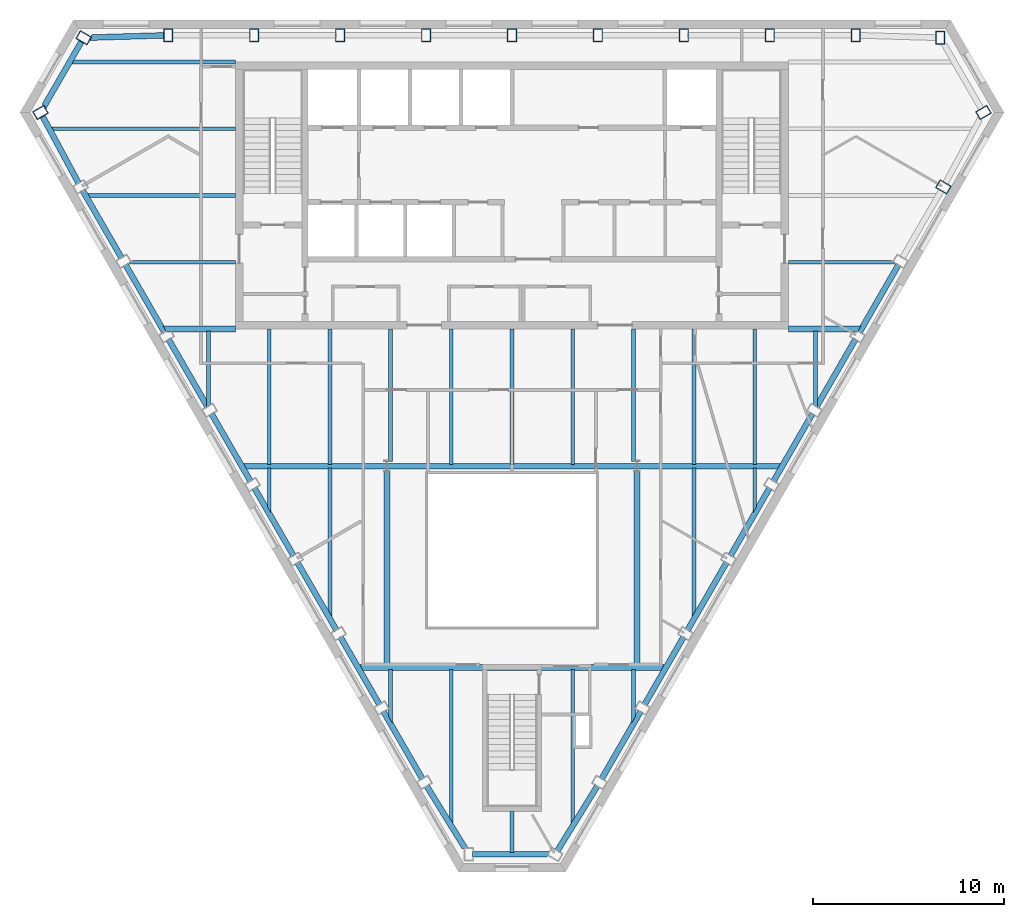
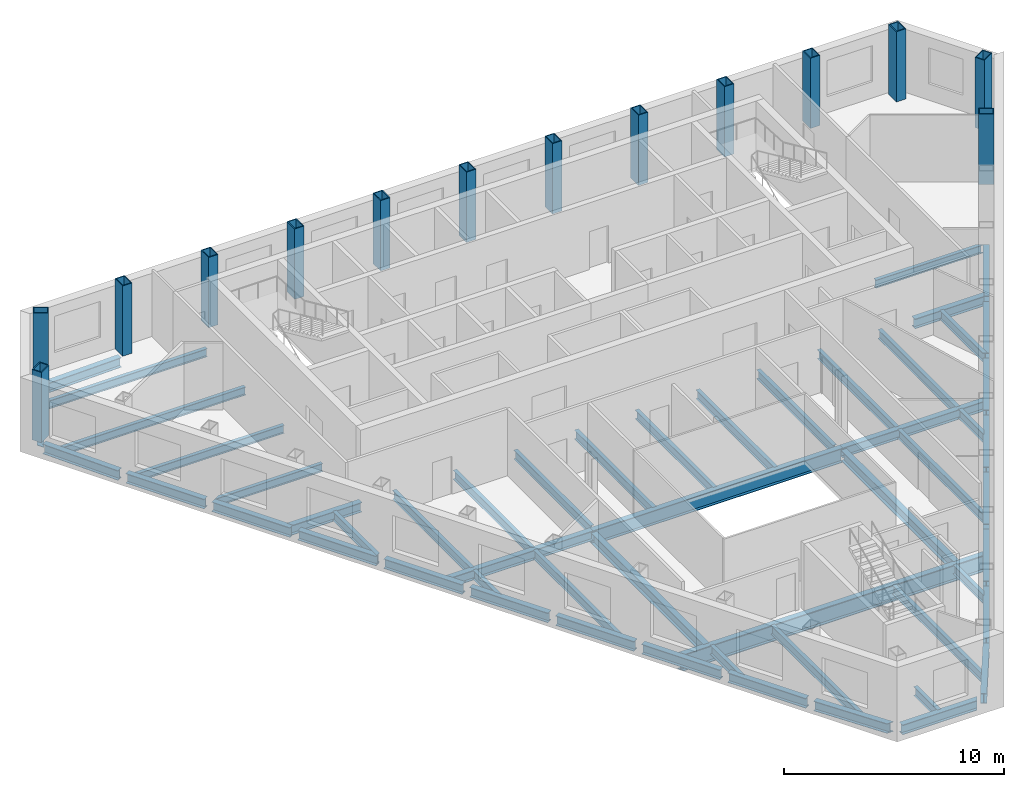
# One storey, part 2 of 10: 54 beams, 14 columns.
"""IFC4 building model written with IfcOpenShell, lengths in metres."""

from ifc_helpers import new_model, si_unit, direction, frame, origin, origin_2d, place, context, subcontext, project, spatial, hollow_rectangle, i_section, extrude, clip, halfspace, material, material_profile, profile_set, type_object, element, save


model = new_model("IFC4")

# Units and contexts
model_context = context("Model", 3, precision=1e-05, world=origin(), true_north=direction((0.0, 1.0)))
body_context = subcontext(model_context, "Body", "Model", "MODEL_VIEW")
ifc_project = project(units=[si_unit("LENGTHUNIT", "METRE"), si_unit("AREAUNIT", "SQUARE_METRE"), si_unit("VOLUMEUNIT", "CUBIC_METRE"), si_unit("PLANEANGLEUNIT", "RADIAN"), si_unit("MASSUNIT", "GRAM", prefix="KILO")], contexts=[model_context])

# Site, building, storey
site_placement = place(None, origin())
site = spatial("IfcSite", under=ifc_project, at=site_placement, CompositionType="ELEMENT")
building_placement = place(site_placement, origin())
building = spatial("IfcBuilding", under=site, at=building_placement, Name="Njiva Tower", CompositionType="ELEMENT")
storey_placement = place(building_placement, frame((0.0, 0.0, 276.6)))
storey = spatial("IfcBuildingStorey", under=building, at=storey_placement, Name="L63", CompositionType="ELEMENT", Elevation=276.6)

# Columns
ifc_material = material(Name="Steel S355 J2", Category="steel")
ifc_material_profile_1 = material_profile(ifc_material, hollow_rectangle(XDim=0.5, YDim=0.7, WallThickness=0.045, at=origin_2d()), Name="BOX 700x500x45")
ifc_profile_set_1 = profile_set([ifc_material_profile_1], Name="Steel S355 J2")
column_type = type_object("IfcColumnType", Name="C13 Perimeter tube column BOX 700x500x45", PredefinedType="COLUMN", material=ifc_profile_set_1)
for number, where, z_axis, x_axis, name in (
    (1, (22.461, 19.267, 0.0), (0.0, 0.0, 1.0), (-1.0, 0.0, 0.0), "Perimeter tube column S20-C01"),
    (2, (18.03, 19.4, 0.0), (0.0, 0.0, 1.0), (-1.0, 0.0, 0.0), "Perimeter tube column S20-C02"),
    (3, (13.523, 19.4, 0.0), (0.0, 0.0, 1.0), (-1.0, 0.0, 0.0), "Perimeter tube column S20-C03"),
    (4, (9.015, 19.4, 0.0), (0.0, 0.0, 1.0), (-1.0, 0.0, 0.0), "Perimeter tube column S20-C04"),
    (5, (4.508, 19.4, 0.0), (0.0, 0.0, 1.0), (-1.0, 0.0, 0.0), "Perimeter tube column S20-C05"),
    (6, (0.0, 19.4, 0.0), (0.0, 0.0, 1.0), (-1.0, 0.0, 0.0), "Perimeter tube column S20-C06"),
    (7, (-4.508, 19.4, 0.0), (0.0, 0.0, 1.0), (-1.0, 0.0, 0.0), "Perimeter tube column S20-C07"),
    (8, (-9.015, 19.4, 0.0), (0.0, 0.0, 1.0), (-1.0, 0.0, 0.0), "Perimeter tube column S20-C08"),
    (9, (-13.523, 19.4, 0.0), (0.0, 0.0, 1.0), (-1.0, 0.0, 0.0), "Perimeter tube column S20-C09"),
    (10, (-18.03, 19.4, 0.0), (0.0, 0.0, 1.0), (-1.0, 0.0, 0.0), "Perimeter tube column S20-C10"),
    (11, (-22.461, 19.267, 0.0), (0.0, 0.0, 1.0), (-0.5, -0.866025403784, 0.0), "Perimeter tube column S20-C11"),
    (12, (-24.723, 15.35, 0.0), (0.0, 0.0, 1.0), (0.5, -0.866025403784, 0.0), "Perimeter tube column S20-C12"),
    (13, (22.622, 11.447, 0.0), (0.0, 0.0, 1.0), (0.5, 0.866025403784, 0.0), "Perimeter tube column S20-C32"),
    (14, (24.723, 15.35, 0.0), (0.0, 0.0, 1.0), (-0.5, 0.866025403784, 0.0), "Perimeter tube column S20-C33"),
):
    element("IfcColumn", number, at=place(storey_placement, frame(where, z_axis=z_axis, x_axis=x_axis)), inside=storey, type_object=column_type, Name=name, PredefinedType="COLUMN", context=body_context, shape_type="SweptSolid", body=[
        extrude(hollow_rectangle(XDim=0.5, YDim=0.7, WallThickness=0.045, at=origin_2d()), origin(), (0.0, 0.0, 1.0), 3.9),
    ])

# Beams
ifc_material_profile_2 = material_profile(ifc_material, i_section(OverallWidth=0.3, OverallDepth=0.59, WebThickness=0.013, FlangeThickness=0.025, at=origin_2d()), Name="HEA 600")
ifc_profile_set_2 = profile_set([ifc_material_profile_2], Name="Steel S355 J2")
beam_type_1 = type_object("IfcBeamType", Name="B30 Long-span atrium trimmer beam HEA 600", PredefinedType="BEAM", material=ifc_profile_set_2)
for number, where, z_axis, x_axis, name in (
    (15, (6.55, -13.649, -0.495), (0.0, 1.0, 0.0), (-1.0, 0.0, 0.0), "Long-span atrium trimmer beam S20-B067"),
    (16, (-6.55, -3.45, -0.495), (0.0, -1.0, 0.0), (1.0, 0.0, 0.0), "Long-span atrium trimmer beam S20-B064"),
):
    element("IfcBeam", number, at=place(storey_placement, frame(where, z_axis=z_axis, x_axis=x_axis)), inside=storey, type_object=beam_type_1, Name=name, PredefinedType="BEAM", context=body_context, shape_type="SweptSolid", body=[
        extrude(i_section(OverallWidth=0.3, OverallDepth=0.59, WebThickness=0.013, FlangeThickness=0.025, at=origin_2d()), origin(), (0.0, 0.0, 1.0), 10.199),
    ])
ifc_material_profile_3 = material_profile(ifc_material, i_section(OverallWidth=0.19, OverallDepth=0.45, WebThickness=0.0094, FlangeThickness=0.0146, at=origin_2d()), Name="IPE 450")
ifc_profile_set_3 = profile_set([ifc_material_profile_3], Name="Steel S355 J2")
beam_type_2 = type_object("IfcBeamType", Name="B37 Floor beam to the core IPE 450", PredefinedType="BEAM", material=ifc_profile_set_3)
beam_1_placement = place(storey_placement, frame((-20.228, 7.5, -0.425), z_axis=(1.0, 0.0, 0.0), x_axis=(0.0, 1.0, 0.0)))
element("IfcBeam", 17, at=beam_1_placement, inside=storey, type_object=beam_type_2, Name="Floor beam to the core S20-B005", PredefinedType="BEAM", context=body_context, shape_type="Clipping", body=[
    clip(extrude(i_section(OverallWidth=0.19, OverallDepth=0.45, WebThickness=0.0094, FlangeThickness=0.0146, at=origin_2d()), origin(), (0.0, 0.0, 1.0), 5.728), halfspace(frame((0.0433, 0.0, 0.2595), z_axis=(0.866026552831, 0.0, -0.499998009787), x_axis=(0.0, -1.0, 0.0)), False)),
])
beam_2_placement = place(storey_placement, frame((14.5, 7.5, -0.425), z_axis=(1.0, 0.0, 0.0), x_axis=(0.0, 1.0, 0.0)))
element("IfcBeam", 18, at=beam_2_placement, inside=storey, type_object=beam_type_2, Name="Floor beam to the core S20-B006", PredefinedType="BEAM", context=body_context, shape_type="Clipping", body=[
    clip(extrude(i_section(OverallWidth=0.19, OverallDepth=0.45, WebThickness=0.0094, FlangeThickness=0.0146, at=origin_2d()), origin(), (0.0, 0.0, 1.0), 5.728), halfspace(frame((0.0433, 0.0, 5.4685), z_axis=(0.866026552831, 0.0, 0.499998009787), x_axis=(0.0, 1.0, 0.0)), False)),
])
beam_3_placement = place(storey_placement, frame((-22.324, 11.0, -0.425), z_axis=(1.0, 0.0, 0.0), x_axis=(0.0, 1.0, 0.0)))
element("IfcBeam", 19, at=beam_3_placement, inside=storey, type_object=beam_type_2, Name="Floor beam to the core S20-B003", PredefinedType="BEAM", context=body_context, shape_type="Clipping", body=[
    clip(extrude(i_section(OverallWidth=0.19, OverallDepth=0.45, WebThickness=0.0094, FlangeThickness=0.0146, at=origin_2d()), origin(), (0.0, 0.0, 1.0), 7.824), halfspace(frame((-0.025, 0.0, 0.0893), z_axis=(-0.499998009787, 0.0, -0.866026552831), x_axis=(0.0, -1.0, 0.0)), False)),
])
beam_4_placement = place(storey_placement, frame((-23.152, 18.0, -0.425), z_axis=(1.0, 0.0, 0.0), x_axis=(0.0, 1.0, 0.0)))
element("IfcBeam", 20, at=beam_4_placement, inside=storey, type_object=beam_type_2, Name="Floor beam to the core S20-B002", PredefinedType="BEAM", context=body_context, shape_type="Clipping", body=[
    clip(extrude(i_section(OverallWidth=0.19, OverallDepth=0.45, WebThickness=0.0094, FlangeThickness=0.0146, at=origin_2d()), origin(), (0.0, 0.0, 1.0), 8.652), halfspace(frame((0.025, 0.0, 0.0892), z_axis=(0.499998009787, 0.0, -0.866026552831), x_axis=(0.0, -1.0, 0.0)), False)),
])
ifc_material_profile_4 = material_profile(ifc_material, i_section(OverallWidth=0.3, OverallDepth=0.54, WebThickness=0.0125, FlangeThickness=0.024, at=origin_2d()), Name="HEA 550")
ifc_profile_set_4 = profile_set([ifc_material_profile_4], Name="Steel S355 J2")
beam_type_3 = type_object("IfcBeamType", Name="B39 Short-span spandrel beam HEA 550", PredefinedType="SPANDREL", material=ifc_profile_set_4)
beam_5_placement = place(storey_placement, frame((-18.234, 19.394, -0.47), z_axis=(-0.999544486246, -0.030179794811, 0.0), x_axis=(0.030179794811, -0.999544486246, 0.0)))
element("IfcBeam", 21, at=beam_5_placement, inside=storey, type_object=beam_type_3, Name="Short-span spandrel beam S20-B075", PredefinedType="SPANDREL", context=body_context, shape_type="Clipping", body=[
    clip(extrude(i_section(OverallWidth=0.3, OverallDepth=0.54, WebThickness=0.0125, FlangeThickness=0.024, at=origin_2d()), origin(), (0.0, 0.0, 1.0), 3.9898), halfspace(frame((-0.0268, 0.0, 3.86), z_axis=(-0.525906757481, 0.0, 0.850542228484), x_axis=(0.0, 1.0, 0.0)), False)),
])
beam_6_placement = place(storey_placement, frame((-22.561, 19.094, -0.47), z_axis=(-0.500114213461, -0.865959452569, 0.0), x_axis=(0.865959452569, -0.500114213461, 0.0)))
element("IfcBeam", 22, at=beam_6_placement, inside=storey, type_object=beam_type_3, Name="Short-span spandrel beam S20-B072", PredefinedType="SPANDREL", context=body_context, shape_type="Clipping", body=[
    clip(extrude(i_section(OverallWidth=0.3, OverallDepth=0.54, WebThickness=0.0125, FlangeThickness=0.024, at=origin_2d()), origin(), (0.0, 0.0, 1.0), 4.0841), halfspace(frame((-0.0246, 0.0, 3.9628), z_axis=(-0.499887768204, 0.0, 0.866090191147), x_axis=(0.0, 1.0, 0.0)), False)),
])
beam_7_placement = place(storey_placement, frame((-24.626, 15.171, -0.47), z_axis=(0.47374424202, -0.880662474023, 0.0), x_axis=(0.880662474023, 0.47374424202, 0.0)))
element("IfcBeam", 23, at=beam_7_placement, inside=storey, type_object=beam_type_3, Name="Short-span spandrel beam S20-B070", PredefinedType="SPANDREL", context=body_context, shape_type="SweptSolid", body=[
    extrude(i_section(OverallWidth=0.3, OverallDepth=0.54, WebThickness=0.0125, FlangeThickness=0.024, at=origin_2d()), origin(), (0.0, 0.0, 1.0), 4.0254),
])
for number, where, z_axis, x_axis, name in (
    (24, (-22.523, 11.274, -0.47), (0.499961250474, -0.866047774678, 0.0), (0.866047774678, 0.499961250474, 0.0), "Short-span spandrel beam S20-B073"),
    (25, (-20.269, 7.37, -0.47), (0.499961250474, -0.866047774678, 0.0), (0.866047774678, 0.499961250474, 0.0), "Short-span spandrel beam S20-B077"),
    (26, (-18.015, 3.466, -0.47), (0.499961250474, -0.866047774678, 0.0), (0.866047774678, 0.499961250474, 0.0), "Short-span spandrel beam S20-B079"),
):
    element("IfcBeam", number, at=place(storey_placement, frame(where, z_axis=z_axis, x_axis=x_axis)), inside=storey, type_object=beam_type_3, Name=name, PredefinedType="SPANDREL", context=body_context, shape_type="SweptSolid", body=[
        extrude(i_section(OverallWidth=0.3, OverallDepth=0.54, WebThickness=0.0125, FlangeThickness=0.024, at=origin_2d()), origin(), (0.0, 0.0, 1.0), 4.1083),
    ])
beam_8_placement = place(storey_placement, frame((-15.761, -0.438, -0.47), z_axis=(0.500066662559, -0.865986912717, 0.0), x_axis=(0.865986912717, 0.500066662559, 0.0)))
element("IfcBeam", 27, at=beam_8_placement, inside=storey, type_object=beam_type_3, Name="Short-span spandrel beam S20-B082", PredefinedType="SPANDREL", context=body_context, shape_type="SweptSolid", body=[
    extrude(i_section(OverallWidth=0.3, OverallDepth=0.54, WebThickness=0.0125, FlangeThickness=0.024, at=origin_2d()), origin(), (0.0, 0.0, 1.0), 4.1075),
])
beam_9_placement = place(storey_placement, frame((-13.507, -4.341, -0.47), z_axis=(0.499961250474, -0.866047774678, 0.0), x_axis=(0.866047774678, 0.499961250474, 0.0)))
element("IfcBeam", 28, at=beam_9_placement, inside=storey, type_object=beam_type_3, Name="Short-span spandrel beam S20-B084", PredefinedType="SPANDREL", context=body_context, shape_type="SweptSolid", body=[
    extrude(i_section(OverallWidth=0.3, OverallDepth=0.54, WebThickness=0.0125, FlangeThickness=0.024, at=origin_2d()), origin(), (0.0, 0.0, 1.0), 4.1083),
])
beam_10_placement = place(storey_placement, frame((-11.253, -8.245, -0.47), z_axis=(0.499778651271, -0.866153161822, 0.0), x_axis=(0.866153161822, 0.499778651271, 0.0)))
element("IfcBeam", 29, at=beam_10_placement, inside=storey, type_object=beam_type_3, Name="Short-span spandrel beam S20-B087", PredefinedType="SPANDREL", context=body_context, shape_type="SweptSolid", body=[
    extrude(i_section(OverallWidth=0.3, OverallDepth=0.54, WebThickness=0.0125, FlangeThickness=0.024, at=origin_2d()), origin(), (0.0, 0.0, 1.0), 4.1078),
])
beam_11_placement = place(storey_placement, frame((-9.0, -12.149, -0.47), z_axis=(0.500066662559, -0.865986912717, 0.0), x_axis=(0.865986912717, 0.500066662559, 0.0)))
element("IfcBeam", 30, at=beam_11_placement, inside=storey, type_object=beam_type_3, Name="Short-span spandrel beam S20-B089", PredefinedType="SPANDREL", context=body_context, shape_type="SweptSolid", body=[
    extrude(i_section(OverallWidth=0.3, OverallDepth=0.54, WebThickness=0.0125, FlangeThickness=0.024, at=origin_2d()), origin(), (0.0, 0.0, 1.0), 4.1075),
])
beam_12_placement = place(storey_placement, frame((-6.746, -16.052, -0.47), z_axis=(0.499961250474, -0.866047774678, 0.0), x_axis=(0.866047774678, 0.499961250474, 0.0)))
element("IfcBeam", 31, at=beam_12_placement, inside=storey, type_object=beam_type_3, Name="Short-span spandrel beam S20-B093", PredefinedType="SPANDREL", context=body_context, shape_type="SweptSolid", body=[
    extrude(i_section(OverallWidth=0.3, OverallDepth=0.54, WebThickness=0.0125, FlangeThickness=0.024, at=origin_2d()), origin(), (0.0, 0.0, 1.0), 4.1083),
])
beam_13_placement = place(storey_placement, frame((-4.485, -19.956, -0.47), z_axis=(0.525679579042, -0.850682655388, 0.0), x_axis=(0.850682655388, 0.525679579042, 0.0)))
element("IfcBeam", 32, at=beam_13_placement, inside=storey, type_object=beam_type_3, Name="Short-span spandrel beam S20-B095", PredefinedType="SPANDREL", context=body_context, shape_type="Clipping", body=[
    clip(extrude(i_section(OverallWidth=0.3, OverallDepth=0.54, WebThickness=0.0125, FlangeThickness=0.024, at=origin_2d()), origin(), (0.0, 0.0, 1.0), 3.9899), halfspace(frame((-0.0259, 0.0, 3.8609), z_axis=(-0.525679579042, 0.0, 0.850682655388), x_axis=(0.0, 1.0, 0.0)), False)),
])
beam_14_placement = place(storey_placement, frame((-2.061, -23.554, -0.47), z_axis=(1.0, 0.0, 0.0), x_axis=(0.0, 1.0, 0.0)))
element("IfcBeam", 33, at=beam_14_placement, inside=storey, type_object=beam_type_3, Name="Short-span spandrel beam S20-B099", PredefinedType="SPANDREL", context=body_context, shape_type="Clipping", body=[
    clip(extrude(i_section(OverallWidth=0.3, OverallDepth=0.54, WebThickness=0.0125, FlangeThickness=0.024, at=origin_2d()), origin(), (0.0, 0.0, 1.0), 4.083), halfspace(frame((-0.0248, 0.0, 3.9613), z_axis=(-0.499998009787, 0.0, 0.866026552831), x_axis=(0.0, 1.0, 0.0)), False)),
])
beam_15_placement = place(storey_placement, frame((2.368, -23.381, -0.47), z_axis=(0.525773090437, 0.850624862894, 0.0), x_axis=(-0.850624862894, 0.525773090437, 0.0)))
element("IfcBeam", 34, at=beam_15_placement, inside=storey, type_object=beam_type_3, Name="Short-span spandrel beam S20-B102", PredefinedType="SPANDREL", context=body_context, shape_type="SweptSolid", body=[
    extrude(i_section(OverallWidth=0.3, OverallDepth=0.54, WebThickness=0.0125, FlangeThickness=0.024, at=origin_2d()), origin(), (0.0, 0.0, 1.0), 4.0265),
])
beam_16_placement = place(storey_placement, frame((4.692, -19.61, -0.47), z_axis=(0.499961250474, 0.866047774678, 0.0), x_axis=(-0.866047774678, 0.499961250474, 0.0)))
element("IfcBeam", 35, at=beam_16_placement, inside=storey, type_object=beam_type_3, Name="Short-span spandrel beam S20-B104", PredefinedType="SPANDREL", context=body_context, shape_type="SweptSolid", body=[
    extrude(i_section(OverallWidth=0.3, OverallDepth=0.54, WebThickness=0.0125, FlangeThickness=0.024, at=origin_2d()), origin(), (0.0, 0.0, 1.0), 4.1083),
])
beam_17_placement = place(storey_placement, frame((6.946, -15.706, -0.47), z_axis=(0.500066662559, 0.865986912717, 0.0), x_axis=(-0.865986912717, 0.500066662559, 0.0)))
element("IfcBeam", 36, at=beam_17_placement, inside=storey, type_object=beam_type_3, Name="Short-span spandrel beam S20-B108", PredefinedType="SPANDREL", context=body_context, shape_type="SweptSolid", body=[
    extrude(i_section(OverallWidth=0.3, OverallDepth=0.54, WebThickness=0.0125, FlangeThickness=0.024, at=origin_2d()), origin(), (0.0, 0.0, 1.0), 4.1075),
])
beam_18_placement = place(storey_placement, frame((9.2, -11.803, -0.47), z_axis=(0.499778651271, 0.866153161822, 0.0), x_axis=(-0.866153161822, 0.499778651271, 0.0)))
element("IfcBeam", 37, at=beam_18_placement, inside=storey, type_object=beam_type_3, Name="Short-span spandrel beam S20-B110", PredefinedType="SPANDREL", context=body_context, shape_type="SweptSolid", body=[
    extrude(i_section(OverallWidth=0.3, OverallDepth=0.54, WebThickness=0.0125, FlangeThickness=0.024, at=origin_2d()), origin(), (0.0, 0.0, 1.0), 4.1078),
])
beam_19_placement = place(storey_placement, frame((11.453, -7.899, -0.47), z_axis=(0.499961250474, 0.866047774678, 0.0), x_axis=(-0.866047774678, 0.499961250474, 0.0)))
element("IfcBeam", 38, at=beam_19_placement, inside=storey, type_object=beam_type_3, Name="Short-span spandrel beam S20-B113", PredefinedType="SPANDREL", context=body_context, shape_type="SweptSolid", body=[
    extrude(i_section(OverallWidth=0.3, OverallDepth=0.54, WebThickness=0.0125, FlangeThickness=0.024, at=origin_2d()), origin(), (0.0, 0.0, 1.0), 4.1083),
])
beam_20_placement = place(storey_placement, frame((13.707, -3.995, -0.47), z_axis=(0.500066662559, 0.865986912717, 0.0), x_axis=(-0.865986912717, 0.500066662559, 0.0)))
element("IfcBeam", 39, at=beam_20_placement, inside=storey, type_object=beam_type_3, Name="Short-span spandrel beam S20-B115", PredefinedType="SPANDREL", context=body_context, shape_type="SweptSolid", body=[
    extrude(i_section(OverallWidth=0.3, OverallDepth=0.54, WebThickness=0.0125, FlangeThickness=0.024, at=origin_2d()), origin(), (0.0, 0.0, 1.0), 4.1075),
])
for number, where, z_axis, x_axis, name in (
    (40, (15.961, -0.092, -0.47), (0.499961250474, 0.866047774678, 0.0), (-0.866047774678, 0.499961250474, 0.0), "Short-span spandrel beam S20-B118"),
    (41, (18.215, 3.812, -0.47), (0.499961250474, 0.866047774678, 0.0), (-0.866047774678, 0.499961250474, 0.0), "Short-span spandrel beam S20-B120"),
):
    element("IfcBeam", number, at=place(storey_placement, frame(where, z_axis=z_axis, x_axis=x_axis)), inside=storey, type_object=beam_type_3, Name=name, PredefinedType="SPANDREL", context=body_context, shape_type="SweptSolid", body=[
        extrude(i_section(OverallWidth=0.3, OverallDepth=0.54, WebThickness=0.0125, FlangeThickness=0.024, at=origin_2d()), origin(), (0.0, 0.0, 1.0), 4.1083),
    ])
ifc_material_profile_5 = material_profile(ifc_material, i_section(OverallWidth=0.3, OverallDepth=0.54, WebThickness=0.0125, FlangeThickness=0.024, at=origin_2d()), Name="HEA 550")
ifc_profile_set_5 = profile_set([ifc_material_profile_5], Name="Steel S355 J2")
beam_type_4 = type_object("IfcBeamType", Name="B40 Floor girder HEA 550", PredefinedType="BEAM", material=ifc_profile_set_5)
beam_21_placement = place(storey_placement, frame((-14.158, -3.2, -0.47), z_axis=(1.0, 0.0, 0.0), x_axis=(0.0, 1.0, 0.0)))
element("IfcBeam", 42, at=beam_21_placement, inside=storey, type_object=beam_type_4, Name="Floor girder S20-B012", PredefinedType="BEAM", context=body_context, shape_type="Clipping", body=[
    clip(extrude(i_section(OverallWidth=0.3, OverallDepth=0.54, WebThickness=0.0125, FlangeThickness=0.024, at=origin_2d()), origin(), (0.0, 0.0, 1.0), 7.608), halfspace(frame((-0.025, 0.0, 0.1217), z_axis=(-0.499998009787, 0.0, -0.866026552831), x_axis=(0.0, -1.0, 0.0)), False)),
])
beam_22_placement = place(storey_placement, frame((6.55, -3.2, -0.47), z_axis=(1.0, 0.0, 0.0), x_axis=(0.0, 1.0, 0.0)))
element("IfcBeam", 43, at=beam_22_placement, inside=storey, type_object=beam_type_4, Name="Floor girder S20-B013", PredefinedType="BEAM", context=body_context, shape_type="Clipping", body=[
    clip(extrude(i_section(OverallWidth=0.3, OverallDepth=0.54, WebThickness=0.0125, FlangeThickness=0.024, at=origin_2d()), origin(), (0.0, 0.0, 1.0), 7.608), halfspace(frame((-0.025, 0.0, 7.4863), z_axis=(-0.499998009787, 0.0, 0.866026552831), x_axis=(0.0, 1.0, 0.0)), False)),
])
ifc_material_profile_6 = material_profile(ifc_material, i_section(OverallWidth=0.3, OverallDepth=0.54, WebThickness=0.0125, FlangeThickness=0.024, at=origin_2d()), Name="HEA 550")
ifc_profile_set_6 = profile_set([ifc_material_profile_6], Name="Steel S355 J2")
beam_type_5 = type_object("IfcBeamType", Name="B41 Short-span floor girder HEA 550", PredefinedType="BEAM", material=ifc_profile_set_6)
beam_23_placement = place(storey_placement, frame((-18.315, 4.0, -0.47), z_axis=(1.0, 0.0, 0.0), x_axis=(0.0, 1.0, 0.0)))
element("IfcBeam", 44, at=beam_23_placement, inside=storey, type_object=beam_type_5, Name="Short-span floor girder S20-B011", PredefinedType="BEAM", context=body_context, shape_type="Clipping", body=[
    clip(extrude(i_section(OverallWidth=0.3, OverallDepth=0.54, WebThickness=0.0125, FlangeThickness=0.024, at=origin_2d()), origin(), (0.0, 0.0, 1.0), 3.815), halfspace(frame((-0.025, 0.0, 0.1217), z_axis=(-0.499998009787, 0.0, -0.866026552831), x_axis=(0.0, -1.0, 0.0)), False)),
])
beam_24_placement = place(storey_placement, frame((14.5, 4.0, -0.47), z_axis=(1.0, 0.0, 0.0), x_axis=(0.0, 1.0, 0.0)))
element("IfcBeam", 45, at=beam_24_placement, inside=storey, type_object=beam_type_5, Name="Short-span floor girder S20-B014", PredefinedType="BEAM", context=body_context, shape_type="Clipping", body=[
    clip(extrude(i_section(OverallWidth=0.3, OverallDepth=0.54, WebThickness=0.0125, FlangeThickness=0.024, at=origin_2d()), origin(), (0.0, 0.0, 1.0), 3.815), halfspace(frame((-0.025, 0.0, 3.6933), z_axis=(-0.499998009787, 0.0, 0.866026552831), x_axis=(0.0, 1.0, 0.0)), False)),
])
ifc_material_profile_7 = material_profile(ifc_material, i_section(OverallWidth=0.2, OverallDepth=0.5, WebThickness=0.0102, FlangeThickness=0.016, at=origin_2d()), Name="IPE 500")
ifc_profile_set_7 = profile_set([ifc_material_profile_7], Name="Steel S355 J2")
beam_type_6 = type_object("IfcBeamType", Name="B42 Short-span floor joist IPE 500", PredefinedType="JOIST", material=ifc_profile_set_7)
beam_25_placement = place(storey_placement, frame((-15.917, 3.9, -0.45), z_axis=(0.0, -1.0, 0.0), x_axis=(1.0, 0.0, 0.0)))
element("IfcBeam", 46, at=beam_25_placement, inside=storey, type_object=beam_type_6, Name="Short-span floor joist S20-B039", PredefinedType="JOIST", context=body_context, shape_type="Clipping", body=[
    clip(extrude(i_section(OverallWidth=0.2, OverallDepth=0.5, WebThickness=0.0102, FlangeThickness=0.016, at=origin_2d()), origin(), (0.0, 0.0, 1.0), 4.044), halfspace(frame((0.0253, 0.0, 3.9518), z_axis=(0.499998009787, 0.0, 0.866026552831), x_axis=(0.0, 1.0, 0.0)), False)),
])
beam_26_placement = place(storey_placement, frame((-12.733, -3.3, -0.45), z_axis=(0.0, -1.0, 0.0), x_axis=(1.0, 0.0, 0.0)))
element("IfcBeam", 47, at=beam_26_placement, inside=storey, type_object=beam_type_6, Name="Short-span floor joist S20-B041", PredefinedType="JOIST", context=body_context, shape_type="Clipping", body=[
    clip(extrude(i_section(OverallWidth=0.2, OverallDepth=0.5, WebThickness=0.0102, FlangeThickness=0.016, at=origin_2d()), origin(), (0.0, 0.0, 1.0), 2.375), halfspace(frame((-0.0436, 0.0, 2.1069), z_axis=(-0.866026552831, 0.0, 0.499998009787), x_axis=(0.0, 1.0, 0.0)), False)),
])
beam_27_placement = place(storey_placement, frame((-6.367, -13.851, -0.45), z_axis=(0.0, -1.0, 0.0), x_axis=(1.0, 0.0, 0.0)))
element("IfcBeam", 48, at=beam_27_placement, inside=storey, type_object=beam_type_6, Name="Short-span floor joist S20-B045", PredefinedType="JOIST", context=body_context, shape_type="Clipping", body=[
    clip(extrude(i_section(OverallWidth=0.2, OverallDepth=0.5, WebThickness=0.0102, FlangeThickness=0.016, at=origin_2d()), origin(), (0.0, 0.0, 1.0), 2.851), halfspace(frame((-0.043, 0.0, 2.5833), z_axis=(-0.866026552831, 0.0, 0.499998009787), x_axis=(0.0, 1.0, 0.0)), False)),
])
beam_28_placement = place(storey_placement, frame((0.0, -21.3, -0.45), z_axis=(0.0, -1.0, 0.0), x_axis=(1.0, 0.0, 0.0)))
element("IfcBeam", 49, at=beam_28_placement, inside=storey, type_object=beam_type_6, Name="Short-span floor joist S20-B050", PredefinedType="JOIST", context=body_context, shape_type="SweptSolid", body=[
    extrude(i_section(OverallWidth=0.2, OverallDepth=0.5, WebThickness=0.0102, FlangeThickness=0.016, at=origin_2d()), origin(), (0.0, 0.0, 1.0), 2.154),
])
beam_29_placement = place(storey_placement, frame((6.367, -13.851, -0.45), z_axis=(0.0, -1.0, 0.0), x_axis=(1.0, 0.0, 0.0)))
element("IfcBeam", 50, at=beam_29_placement, inside=storey, type_object=beam_type_6, Name="Short-span floor joist S20-B054", PredefinedType="JOIST", context=body_context, shape_type="Clipping", body=[
    clip(extrude(i_section(OverallWidth=0.2, OverallDepth=0.5, WebThickness=0.0102, FlangeThickness=0.016, at=origin_2d()), origin(), (0.0, 0.0, 1.0), 2.851), halfspace(frame((0.043, 0.0, 2.5833), z_axis=(0.866026552831, 0.0, 0.499998009787), x_axis=(0.0, 1.0, 0.0)), False)),
])
beam_30_placement = place(storey_placement, frame((12.733, -3.3, -0.45), z_axis=(0.0, -1.0, 0.0), x_axis=(1.0, 0.0, 0.0)))
element("IfcBeam", 51, at=beam_30_placement, inside=storey, type_object=beam_type_6, Name="Short-span floor joist S20-B059", PredefinedType="JOIST", context=body_context, shape_type="Clipping", body=[
    clip(extrude(i_section(OverallWidth=0.2, OverallDepth=0.5, WebThickness=0.0102, FlangeThickness=0.016, at=origin_2d()), origin(), (0.0, 0.0, 1.0), 2.375), halfspace(frame((0.0436, 0.0, 2.1069), z_axis=(0.866026552831, 0.0, 0.499998009787), x_axis=(0.0, 1.0, 0.0)), False)),
])
beam_31_placement = place(storey_placement, frame((15.917, 3.9, -0.45), z_axis=(0.0, -1.0, 0.0), x_axis=(1.0, 0.0, 0.0)))
element("IfcBeam", 52, at=beam_31_placement, inside=storey, type_object=beam_type_6, Name="Short-span floor joist S20-B061", PredefinedType="JOIST", context=body_context, shape_type="Clipping", body=[
    clip(extrude(i_section(OverallWidth=0.2, OverallDepth=0.5, WebThickness=0.0102, FlangeThickness=0.016, at=origin_2d()), origin(), (0.0, 0.0, 1.0), 4.044), halfspace(frame((-0.0253, 0.0, 3.9518), z_axis=(-0.499998009787, 0.0, 0.866026552831), x_axis=(0.0, 1.0, 0.0)), False)),
])
ifc_material_profile_8 = material_profile(ifc_material, i_section(OverallWidth=0.2, OverallDepth=0.5, WebThickness=0.0102, FlangeThickness=0.016, at=origin_2d()), Name="IPE 500")
ifc_profile_set_8 = profile_set([ifc_material_profile_8], Name="Steel S355 J2")
beam_type_7 = type_object("IfcBeamType", Name="B43 Floor joist IPE 500", PredefinedType="JOIST", material=ifc_profile_set_8)
for number, where, z_axis, x_axis, name in (
    (53, (-12.733, 3.995, -0.45), (0.0, -1.0, 0.0), (1.0, 0.0, 0.0), "Floor joist S20-B042"),
    (54, (-9.55, 3.995, -0.45), (0.0, -1.0, 0.0), (1.0, 0.0, 0.0), "Floor joist S20-B044"),
):
    element("IfcBeam", number, at=place(storey_placement, frame(where, z_axis=z_axis, x_axis=x_axis)), inside=storey, type_object=beam_type_7, Name=name, PredefinedType="JOIST", context=body_context, shape_type="SweptSolid", body=[
        extrude(i_section(OverallWidth=0.2, OverallDepth=0.5, WebThickness=0.0102, FlangeThickness=0.016, at=origin_2d()), origin(), (0.0, 0.0, 1.0), 7.095),
    ])
beam_32_placement = place(storey_placement, frame((-9.55, -3.3, -0.45), z_axis=(0.0, -1.0, 0.0), x_axis=(1.0, 0.0, 0.0)))
element("IfcBeam", 55, at=beam_32_placement, inside=storey, type_object=beam_type_7, Name="Floor joist S20-B043", PredefinedType="JOIST", context=body_context, shape_type="Clipping", body=[
    clip(extrude(i_section(OverallWidth=0.2, OverallDepth=0.5, WebThickness=0.0102, FlangeThickness=0.016, at=origin_2d()), origin(), (0.0, 0.0, 1.0), 7.889), halfspace(frame((-0.0433, 0.0, 7.6206), z_axis=(-0.866026552831, 0.0, 0.499998009787), x_axis=(0.0, 1.0, 0.0)), False)),
])
beam_33_placement = place(storey_placement, frame((-6.367, 3.995, -0.45), z_axis=(0.0, -1.0, 0.0), x_axis=(1.0, 0.0, 0.0)))
element("IfcBeam", 56, at=beam_33_placement, inside=storey, type_object=beam_type_7, Name="Floor joist S20-B047", PredefinedType="JOIST", context=body_context, shape_type="SweptSolid", body=[
    extrude(i_section(OverallWidth=0.2, OverallDepth=0.5, WebThickness=0.0102, FlangeThickness=0.016, at=origin_2d()), origin(), (0.0, 0.0, 1.0), 6.945),
])
beam_34_placement = place(storey_placement, frame((-3.183, 3.995, -0.45), z_axis=(0.0, -1.0, 0.0), x_axis=(1.0, 0.0, 0.0)))
element("IfcBeam", 57, at=beam_34_placement, inside=storey, type_object=beam_type_7, Name="Floor joist S20-B049", PredefinedType="JOIST", context=body_context, shape_type="SweptSolid", body=[
    extrude(i_section(OverallWidth=0.2, OverallDepth=0.5, WebThickness=0.0102, FlangeThickness=0.016, at=origin_2d()), origin(), (0.0, 0.0, 1.0), 7.095),
])
beam_35_placement = place(storey_placement, frame((-3.183, -13.851, -0.45), z_axis=(0.0, -1.0, 0.0), x_axis=(1.0, 0.0, 0.0)))
element("IfcBeam", 58, at=beam_35_placement, inside=storey, type_object=beam_type_7, Name="Floor joist S20-B048", PredefinedType="JOIST", context=body_context, shape_type="Clipping", body=[
    clip(extrude(i_section(OverallWidth=0.2, OverallDepth=0.5, WebThickness=0.0102, FlangeThickness=0.016, at=origin_2d()), origin(), (0.0, 0.0, 1.0), 8.203), halfspace(frame((-0.0429, 0.0, 7.9521), z_axis=(-0.850620428373, 0.0, 0.525780264783), x_axis=(0.0, 1.0, 0.0)), False)),
])
for number, where, z_axis, x_axis, name in (
    (59, (0.0, 3.995, -0.45), (0.0, -1.0, 0.0), (1.0, 0.0, 0.0), "Floor joist S20-B051"),
    (60, (3.183, 3.995, -0.45), (0.0, -1.0, 0.0), (1.0, 0.0, 0.0), "Floor joist S20-B053"),
):
    element("IfcBeam", number, at=place(storey_placement, frame(where, z_axis=z_axis, x_axis=x_axis)), inside=storey, type_object=beam_type_7, Name=name, PredefinedType="JOIST", context=body_context, shape_type="SweptSolid", body=[
        extrude(i_section(OverallWidth=0.2, OverallDepth=0.5, WebThickness=0.0102, FlangeThickness=0.016, at=origin_2d()), origin(), (0.0, 0.0, 1.0), 7.095),
    ])
beam_36_placement = place(storey_placement, frame((3.183, -13.851, -0.45), z_axis=(0.0, -1.0, 0.0), x_axis=(1.0, 0.0, 0.0)))
element("IfcBeam", 61, at=beam_36_placement, inside=storey, type_object=beam_type_7, Name="Floor joist S20-B052", PredefinedType="JOIST", context=body_context, shape_type="Clipping", body=[
    clip(extrude(i_section(OverallWidth=0.2, OverallDepth=0.5, WebThickness=0.0102, FlangeThickness=0.016, at=origin_2d()), origin(), (0.0, 0.0, 1.0), 8.203), halfspace(frame((0.0429, 0.0, 7.9521), z_axis=(0.850620428373, 0.0, 0.525780264783), x_axis=(0.0, 1.0, 0.0)), False)),
])
beam_37_placement = place(storey_placement, frame((6.367, 3.995, -0.45), z_axis=(0.0, -1.0, 0.0), x_axis=(1.0, 0.0, 0.0)))
element("IfcBeam", 62, at=beam_37_placement, inside=storey, type_object=beam_type_7, Name="Floor joist S20-B056", PredefinedType="JOIST", context=body_context, shape_type="SweptSolid", body=[
    extrude(i_section(OverallWidth=0.2, OverallDepth=0.5, WebThickness=0.0102, FlangeThickness=0.016, at=origin_2d()), origin(), (0.0, 0.0, 1.0), 6.945),
])
beam_38_placement = place(storey_placement, frame((9.55, 3.995, -0.45), z_axis=(0.0, -1.0, 0.0), x_axis=(1.0, 0.0, 0.0)))
element("IfcBeam", 63, at=beam_38_placement, inside=storey, type_object=beam_type_7, Name="Floor joist S20-B058", PredefinedType="JOIST", context=body_context, shape_type="SweptSolid", body=[
    extrude(i_section(OverallWidth=0.2, OverallDepth=0.5, WebThickness=0.0102, FlangeThickness=0.016, at=origin_2d()), origin(), (0.0, 0.0, 1.0), 7.095),
])
beam_39_placement = place(storey_placement, frame((9.55, -3.3, -0.45), z_axis=(0.0, -1.0, 0.0), x_axis=(1.0, 0.0, 0.0)))
element("IfcBeam", 64, at=beam_39_placement, inside=storey, type_object=beam_type_7, Name="Floor joist S20-B057", PredefinedType="JOIST", context=body_context, shape_type="Clipping", body=[
    clip(extrude(i_section(OverallWidth=0.2, OverallDepth=0.5, WebThickness=0.0102, FlangeThickness=0.016, at=origin_2d()), origin(), (0.0, 0.0, 1.0), 7.889), halfspace(frame((0.0433, 0.0, 7.6206), z_axis=(0.866026552831, 0.0, 0.499998009787), x_axis=(0.0, 1.0, 0.0)), False)),
])
beam_40_placement = place(storey_placement, frame((12.733, 3.995, -0.45), z_axis=(0.0, -1.0, 0.0), x_axis=(1.0, 0.0, 0.0)))
element("IfcBeam", 65, at=beam_40_placement, inside=storey, type_object=beam_type_7, Name="Floor joist S20-B060", PredefinedType="JOIST", context=body_context, shape_type="SweptSolid", body=[
    extrude(i_section(OverallWidth=0.2, OverallDepth=0.5, WebThickness=0.0102, FlangeThickness=0.016, at=origin_2d()), origin(), (0.0, 0.0, 1.0), 7.095),
])
ifc_material_profile_9 = material_profile(ifc_material, i_section(OverallWidth=0.19, OverallDepth=0.45, WebThickness=0.0094, FlangeThickness=0.0146, at=origin_2d()), Name="IPE 450")
ifc_profile_set_9 = profile_set([ifc_material_profile_9], Name="Steel S355 J2")
beam_type_8 = type_object("IfcBeamType", Name="B45 Long-span floor beam to the core IPE 450", PredefinedType="BEAM", material=ifc_profile_set_9)
beam_41_placement = place(storey_placement, frame((-24.223, 14.5, -0.425), z_axis=(1.0, 0.0, 0.0), x_axis=(0.0, 1.0, 0.0)))
element("IfcBeam", 66, at=beam_41_placement, inside=storey, type_object=beam_type_8, Name="Long-span floor beam to the core S20-B001", PredefinedType="BEAM", context=body_context, shape_type="Clipping", body=[
    clip(extrude(i_section(OverallWidth=0.19, OverallDepth=0.45, WebThickness=0.0094, FlangeThickness=0.0146, at=origin_2d()), origin(), (0.0, 0.0, 1.0), 9.723), halfspace(frame((-0.0237, 0.0, 0.0842), z_axis=(-0.473769423091, 0.0, -0.880648927634), x_axis=(0.0, -1.0, 0.0)), False)),
])
ifc_material_profile_10 = material_profile(ifc_material, i_section(OverallWidth=0.302, OverallDepth=0.91, WebThickness=0.021, FlangeThickness=0.04, at=origin_2d()), Name="HEM 900")
ifc_profile_set_10 = profile_set([ifc_material_profile_10], Name="Steel S355 J2")
beam_type_9 = type_object("IfcBeamType", Name="B8 Long-span atrium trimmer beam HEM 900", PredefinedType="BEAM", material=ifc_profile_set_10)
beam_42_placement = place(storey_placement, frame((-8.067, -13.75, -0.655), z_axis=(1.0, 0.0, 0.0), x_axis=(0.0, 1.0, 0.0)))
element("IfcBeam", 67, at=beam_42_placement, inside=storey, type_object=beam_type_9, Name="Long-span atrium trimmer beam S20-B063", PredefinedType="BEAM", context=body_context, shape_type="Clipping", body=[
    clip(clip(extrude(i_section(OverallWidth=0.302, OverallDepth=0.91, WebThickness=0.021, FlangeThickness=0.04, at=origin_2d()), origin(), (0.0, 0.0, 1.0), 16.134), halfspace(frame((-0.025, 0.0, 0.1217), z_axis=(-0.499998009787, 0.0, -0.866026552831), x_axis=(0.0, -1.0, 0.0)), False)), halfspace(frame((-0.025, 0.0, 16.0123), z_axis=(-0.499998009787, 0.0, 0.866026552831), x_axis=(0.0, 1.0, 0.0)), False)),
])
ifc_material_profile_11 = material_profile(ifc_material, i_section(OverallWidth=0.3, OverallDepth=0.79, WebThickness=0.015, FlangeThickness=0.028, at=origin_2d()), Name="HEA 800")
ifc_profile_set_11 = profile_set([ifc_material_profile_11], Name="Steel S355 J2")
beam_type_10 = type_object("IfcBeamType", Name="B9 Long-span atrium trimmer beam HEA 800", PredefinedType="BEAM", material=ifc_profile_set_11)
beam_43_placement = place(storey_placement, frame((6.55, -3.2, -0.595), z_axis=(-1.0, 0.0, 0.0), x_axis=(0.0, -1.0, 0.0)))
element("IfcBeam", 68, at=beam_43_placement, inside=storey, type_object=beam_type_10, Name="Long-span atrium trimmer beam S20-B066", PredefinedType="BEAM", context=body_context, shape_type="SweptSolid", body=[
    extrude(i_section(OverallWidth=0.3, OverallDepth=0.79, WebThickness=0.015, FlangeThickness=0.028, at=origin_2d()), origin(), (0.0, 0.0, 1.0), 13.1),
])

save(model, "model.ifc")
